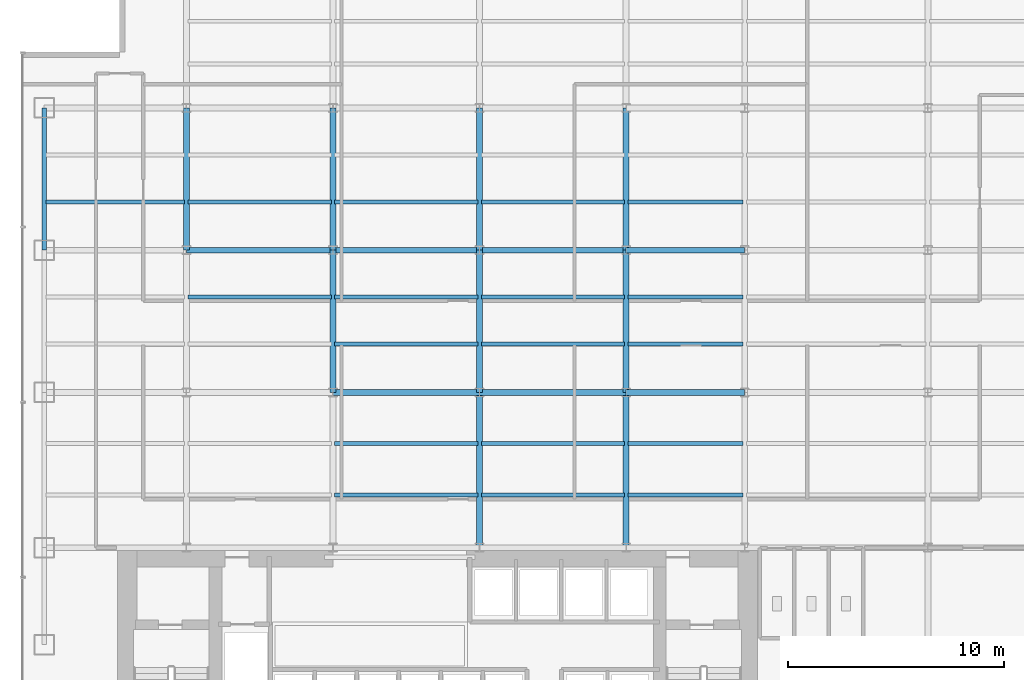
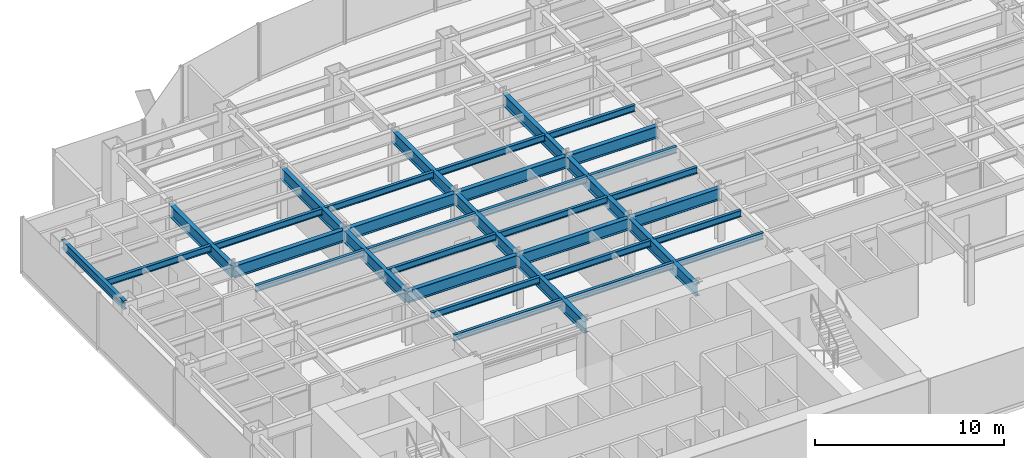
# One storey, part 5 of 23: 35 beams.
"""IFC4 building model written with IfcOpenShell, lengths in metres."""

from ifc_helpers import new_model, si_unit, derived_unit, direction, frame, origin, origin_2d, place, context, subcontext, project, spatial, i_section, extrude, source, transform, mapped, material, material_profile, profile_set, type_object, element, save


model = new_model("IFC4")

# Units and contexts
model_context = context("Model", 3, precision=1e-05, world=origin(), true_north=direction((0.0, 1.0)))
body_context = subcontext(model_context, "Body", "Model", "MODEL_VIEW")
ifc_project = project(units=[si_unit("LENGTHUNIT", "METRE"), si_unit("AREAUNIT", "SQUARE_METRE"), si_unit("VOLUMEUNIT", "CUBIC_METRE"), si_unit("PLANEANGLEUNIT", "RADIAN"), si_unit("MASSUNIT", "GRAM", prefix="KILO"), derived_unit("THERMALTRANSMITTANCEUNIT", [(si_unit("POWERUNIT", "WATT"), 1), (si_unit("LENGTHUNIT", "METRE"), -2), (si_unit("THERMODYNAMICTEMPERATUREUNIT", "KELVIN"), -1)])], contexts=[model_context])

# Site, building, storey
site_placement = place(None, origin())
site = spatial("IfcSite", under=ifc_project, at=site_placement, CompositionType="ELEMENT")
building_placement = place(site_placement, origin())
building = spatial("IfcBuilding", under=site, at=building_placement, Name="Skarnbrae Concourse Arena and Tower", CompositionType="ELEMENT")
storey_placement = place(building_placement, frame((0.0, 0.0, 50.75)))
storey = spatial("IfcBuildingStorey", under=building, at=storey_placement, Name="L11", CompositionType="ELEMENT", Elevation=50.75)

# Beams
ifc_material = material(Name="Steel CSA G40.21 350W", Category="steel")
ifc_material_profile_1 = material_profile(ifc_material, i_section(OverallWidth=0.26806640625, OverallDepth=0.77001953125, WebThickness=0.015625, FlangeThickness=0.025390625, at=origin_2d()), Name="W760X196")
ifc_profile_set_1 = profile_set([ifc_material_profile_1], Name="Steel CSA G40.21 350W")
beam_type_1 = type_object("IfcBeamType", Name="BM-GIRD-W760X196", PredefinedType="BEAM", material=ifc_profile_set_1)
shared_shape_1 = source(origin(), body_context, "Body", "SweptSolid", [
    extrude(i_section(OverallWidth=0.26806640625, OverallDepth=0.77001953125, WebThickness=0.015625, FlangeThickness=0.025390625, at=origin_2d()), origin(), (0.0, 0.0, 1.0), 6.60009765625),
])
for number, where, z_axis, x_axis, name in (
    (1, (14.39990234375, 21.199951171875, 3.014892578125), (0.0, 1.0, 0.0), (-1.0, 0.0, 0.0), "L11 Primary N-S girder X14.4-2"),
    (2, (21.199951171875, 21.199951171875, 3.014892578125), (0.0, 1.0, 0.0), (-1.0, 0.0, 0.0), "L11 Primary N-S girder X21.2-2"),
    (3, (28.0, 21.199951171875, 3.014892578125), (0.0, 1.0, 0.0), (-1.0, 0.0, 0.0), "L11 Primary N-S girder X28.0-2"),
):
    element("IfcBeam", number, at=place(storey_placement, frame(where, z_axis=z_axis, x_axis=x_axis)), inside=storey, type_object=beam_type_1, Name=name, PredefinedType="BEAM", context=body_context, shape_type="MappedRepresentation", body=[
        mapped(shared_shape_1, transform((0.0, 0.0, 0.0))),
    ])
shared_shape_2 = source(origin(), body_context, "Body", "SweptSolid", [
    extrude(i_section(OverallWidth=0.26806640625, OverallDepth=0.77001953125, WebThickness=0.015625, FlangeThickness=0.025390625, at=origin_2d()), origin(), (0.0, 0.0, 1.0), 6.7998046875),
])
beam_1_placement = place(storey_placement, frame((7.60009765625, 27.800048828125, 3.014892578125), z_axis=(1.0, 0.0, 0.0), x_axis=(0.0, 1.0, 0.0)))
element("IfcBeam", 4, at=beam_1_placement, inside=storey, type_object=beam_type_1, Name="L11 Primary E-W girder Y27.8-2", PredefinedType="BEAM", context=body_context, shape_type="MappedRepresentation", body=[
    mapped(shared_shape_2, transform((0.0, 0.0, 0.0))),
])
shared_shape_3 = source(origin(), body_context, "Body", "SweptSolid", [
    extrude(i_section(OverallWidth=0.26806640625, OverallDepth=0.77001953125, WebThickness=0.015625, FlangeThickness=0.025390625, at=origin_2d()), origin(), (0.0, 0.0, 1.0), 6.800048828125),
])
for number, where, z_axis, x_axis, name in (
    (5, (14.39990234375, 21.199951171875, 3.014892578125), (1.0, 0.0, 0.0), (0.0, 1.0, 0.0), "L11 Primary E-W girder Y21.2-3"),
    (6, (21.199951171875, 21.199951171875, 3.014892578125), (1.0, 0.0, 0.0), (0.0, 1.0, 0.0), "L11 Primary E-W girder Y21.2-4"),
    (7, (14.39990234375, 27.800048828125, 3.014892578125), (1.0, 0.0, 0.0), (0.0, 1.0, 0.0), "L11 Primary E-W girder Y27.8-3"),
    (8, (21.199951171875, 27.800048828125, 3.014892578125), (1.0, 0.0, 0.0), (0.0, 1.0, 0.0), "L11 Primary E-W girder Y27.8-4"),
):
    element("IfcBeam", number, at=place(storey_placement, frame(where, z_axis=z_axis, x_axis=x_axis)), inside=storey, type_object=beam_type_1, Name=name, PredefinedType="BEAM", context=body_context, shape_type="MappedRepresentation", body=[
        mapped(shared_shape_3, transform((0.0, 0.0, 0.0))),
    ])
shared_shape_4 = source(origin(), body_context, "Body", "SweptSolid", [
    extrude(i_section(OverallWidth=0.26806640625, OverallDepth=0.77001953125, WebThickness=0.015625, FlangeThickness=0.025390625, at=origin_2d()), origin(), (0.0, 0.0, 1.0), 5.5),
])
for number, where, z_axis, x_axis, name in (
    (9, (28.0, 21.199951171875, 3.014892578125), (1.0, 0.0, 0.0), (0.0, 1.0, 0.0), "L11 Primary E-W girder Y21.2-5"),
    (10, (28.0, 27.800048828125, 3.014892578125), (1.0, 0.0, 0.0), (0.0, 1.0, 0.0), "L11 Primary E-W girder Y27.8-5"),
):
    element("IfcBeam", number, at=place(storey_placement, frame(where, z_axis=z_axis, x_axis=x_axis)), inside=storey, type_object=beam_type_1, Name=name, PredefinedType="BEAM", context=body_context, shape_type="MappedRepresentation", body=[
        mapped(shared_shape_4, transform((0.0, 0.0, 0.0))),
    ])
ifc_material_profile_2 = material_profile(ifc_material, i_section(OverallWidth=0.214111328125, OverallDepth=0.549072265625, WebThickness=0.0146484375, FlangeThickness=0.023681640625, at=origin_2d()), Name="W530X138")
ifc_profile_set_2 = profile_set([ifc_material_profile_2], Name="Steel CSA G40.21 350W")
beam_type_2 = type_object("IfcBeamType", Name="BM-SPAN-W530X138", PredefinedType="SPANDREL", material=ifc_profile_set_2)
shared_shape_5 = source(origin(), body_context, "Body", "SweptSolid", [
    extrude(i_section(OverallWidth=0.214111328125, OverallDepth=0.549072265625, WebThickness=0.0146484375, FlangeThickness=0.023681640625, at=origin_2d()), origin(), (0.0, 0.0, 1.0), 6.599853515625),
])
beam_2_placement = place(storey_placement, frame((1.0, 27.800048828125, 3.12548828125), z_axis=(0.0, 1.0, 0.0), x_axis=(-1.0, 0.0, 0.0)))
element("IfcBeam", 11, at=beam_2_placement, inside=storey, type_object=beam_type_2, Name="L11 Perimeter spandrel X1.0-4", PredefinedType="SPANDREL", context=body_context, shape_type="MappedRepresentation", body=[
    mapped(shared_shape_5, transform((0.0, 0.0, 0.0))),
])
shared_shape_6 = source(origin(), body_context, "Body", "SweptSolid", [
    extrude(i_section(OverallWidth=0.26806640625, OverallDepth=0.77001953125, WebThickness=0.015625, FlangeThickness=0.025390625, at=origin_2d()), origin(), (0.0, 0.0, 1.0), 7.199951171875),
])
for number, where, z_axis, x_axis, name in (
    (12, (21.199951171875, 14.0, 3.014892578125), (0.0, 1.0, 0.0), (-1.0, 0.0, 0.0), "L11 Primary N-S girder X21.2-1"),
    (13, (28.0, 14.0, 3.014892578125), (0.0, 1.0, 0.0), (-1.0, 0.0, 0.0), "L11 Primary N-S girder X28.0-1"),
):
    element("IfcBeam", number, at=place(storey_placement, frame(where, z_axis=z_axis, x_axis=x_axis)), inside=storey, type_object=beam_type_1, Name=name, PredefinedType="BEAM", context=body_context, shape_type="MappedRepresentation", body=[
        mapped(shared_shape_6, transform((0.0, 0.0, 0.0))),
    ])
shared_shape_7 = source(origin(), body_context, "Body", "SweptSolid", [
    extrude(i_section(OverallWidth=0.26806640625, OverallDepth=0.77001953125, WebThickness=0.015625, FlangeThickness=0.025390625, at=origin_2d()), origin(), (0.0, 0.0, 1.0), 6.599853515625),
])
for number, where, z_axis, x_axis, name in (
    (14, (7.60009765625, 27.800048828125, 3.014892578125), (0.0, 1.0, 0.0), (-1.0, 0.0, 0.0), "L11 Primary N-S girder X7.6-3"),
    (15, (14.39990234375, 27.800048828125, 3.014892578125), (0.0, 1.0, 0.0), (-1.0, 0.0, 0.0), "L11 Primary N-S girder X14.4-3"),
    (16, (21.199951171875, 27.800048828125, 3.014892578125), (0.0, 1.0, 0.0), (-1.0, 0.0, 0.0), "L11 Primary N-S girder X21.2-3"),
    (17, (28.0, 27.800048828125, 3.014892578125), (0.0, 1.0, 0.0), (-1.0, 0.0, 0.0), "L11 Primary N-S girder X28.0-3"),
):
    element("IfcBeam", number, at=place(storey_placement, frame(where, z_axis=z_axis, x_axis=x_axis)), inside=storey, type_object=beam_type_1, Name=name, PredefinedType="BEAM", context=body_context, shape_type="MappedRepresentation", body=[
        mapped(shared_shape_7, transform((0.0, 0.0, 0.0))),
    ])
ifc_material_profile_3 = material_profile(ifc_material, i_section(OverallWidth=0.180908203125, OverallDepth=0.4169921875, WebThickness=0.010986328125, FlangeThickness=0.018310546875, at=origin_2d()), Name="W410X85")
ifc_profile_set_3 = profile_set([ifc_material_profile_3], Name="Steel CSA G40.21 350W")
beam_type_3 = type_object("IfcBeamType", Name="BM-JOIST-W410X85", PredefinedType="JOIST", material=ifc_profile_set_3)
shared_shape_8 = source(origin(), body_context, "Body", "SweptSolid", [
    extrude(i_section(OverallWidth=0.180908203125, OverallDepth=0.4169921875, WebThickness=0.010986328125, FlangeThickness=0.018310546875, at=origin_2d()), origin(), (0.0, 0.0, 1.0), 6.43994140625),
])
beam_3_placement = place(storey_placement, frame((1.080078125, 30.0439453125, 3.19140625), z_axis=(1.0, 0.0, 0.0), x_axis=(0.0, 1.0, 0.0)))
element("IfcBeam", 18, at=beam_3_placement, inside=storey, type_object=beam_type_3, Name="L11 Secondary floor joist 3.1.1", PredefinedType="JOIST", context=body_context, shape_type="MappedRepresentation", body=[
    mapped(shared_shape_8, transform((0.0, 0.0, 0.0))),
])
shared_shape_9 = source(origin(), body_context, "Body", "SweptSolid", [
    extrude(i_section(OverallWidth=0.180908203125, OverallDepth=0.4169921875, WebThickness=0.010986328125, FlangeThickness=0.018310546875, at=origin_2d()), origin(), (0.0, 0.0, 1.0), 6.64013671875),
])
for number, where, z_axis, x_axis, name in (
    (19, (14.47998046875, 16.447998046875, 3.19140625), (1.0, 0.0, 0.0), (0.0, 1.0, 0.0), "L11 Secondary floor joist 1.1.3"),
    (20, (14.47998046875, 18.823974609375, 3.19140625), (1.0, 0.0, 0.0), (0.0, 1.0, 0.0), "L11 Secondary floor joist 1.2.3"),
    (21, (14.47998046875, 23.444091796875, 3.19140625), (1.0, 0.0, 0.0), (0.0, 1.0, 0.0), "L11 Secondary floor joist 2.1.3"),
    (22, (7.679931640625, 25.6220703125, 3.19140625), (1.0, 0.0, 0.0), (0.0, 1.0, 0.0), "L11 Secondary floor joist 2.2.2"),
    (23, (14.47998046875, 25.6220703125, 3.19140625), (1.0, 0.0, 0.0), (0.0, 1.0, 0.0), "L11 Secondary floor joist 2.2.3"),
    (24, (7.679931640625, 30.0439453125, 3.19140625), (1.0, 0.0, 0.0), (0.0, 1.0, 0.0), "L11 Secondary floor joist 3.1.2"),
    (25, (14.47998046875, 30.0439453125, 3.19140625), (1.0, 0.0, 0.0), (0.0, 1.0, 0.0), "L11 Secondary floor joist 3.1.3"),
):
    element("IfcBeam", number, at=place(storey_placement, frame(where, z_axis=z_axis, x_axis=x_axis)), inside=storey, type_object=beam_type_3, Name=name, PredefinedType="JOIST", context=body_context, shape_type="MappedRepresentation", body=[
        mapped(shared_shape_9, transform((0.0, 0.0, 0.0))),
    ])
shared_shape_10 = source(origin(), body_context, "Body", "SweptSolid", [
    extrude(i_section(OverallWidth=0.180908203125, OverallDepth=0.4169921875, WebThickness=0.010986328125, FlangeThickness=0.018310546875, at=origin_2d()), origin(), (0.0, 0.0, 1.0), 6.639892578125),
])
for number, where, z_axis, x_axis, name in (
    (26, (21.280029296875, 16.447998046875, 3.19140625), (1.0, 0.0, 0.0), (0.0, 1.0, 0.0), "L11 Secondary floor joist 1.1.4"),
    (27, (21.280029296875, 18.823974609375, 3.19140625), (1.0, 0.0, 0.0), (0.0, 1.0, 0.0), "L11 Secondary floor joist 1.2.4"),
    (28, (21.280029296875, 23.444091796875, 3.19140625), (1.0, 0.0, 0.0), (0.0, 1.0, 0.0), "L11 Secondary floor joist 2.1.4"),
    (29, (21.280029296875, 25.6220703125, 3.19140625), (1.0, 0.0, 0.0), (0.0, 1.0, 0.0), "L11 Secondary floor joist 2.2.4"),
    (30, (21.280029296875, 30.0439453125, 3.19140625), (1.0, 0.0, 0.0), (0.0, 1.0, 0.0), "L11 Secondary floor joist 3.1.4"),
):
    element("IfcBeam", number, at=place(storey_placement, frame(where, z_axis=z_axis, x_axis=x_axis)), inside=storey, type_object=beam_type_3, Name=name, PredefinedType="JOIST", context=body_context, shape_type="MappedRepresentation", body=[
        mapped(shared_shape_10, transform((0.0, 0.0, 0.0))),
    ])
shared_shape_11 = source(origin(), body_context, "Body", "SweptSolid", [
    extrude(i_section(OverallWidth=0.180908203125, OverallDepth=0.4169921875, WebThickness=0.010986328125, FlangeThickness=0.018310546875, at=origin_2d()), origin(), (0.0, 0.0, 1.0), 5.33984375),
])
for number, where, z_axis, x_axis, name in (
    (31, (28.080078125, 16.447998046875, 3.19140625), (1.0, 0.0, 0.0), (0.0, 1.0, 0.0), "L11 Secondary floor joist 1.1.5"),
    (32, (28.080078125, 18.823974609375, 3.19140625), (1.0, 0.0, 0.0), (0.0, 1.0, 0.0), "L11 Secondary floor joist 1.2.5"),
    (33, (28.080078125, 23.444091796875, 3.19140625), (1.0, 0.0, 0.0), (0.0, 1.0, 0.0), "L11 Secondary floor joist 2.1.5"),
    (34, (28.080078125, 25.6220703125, 3.19140625), (1.0, 0.0, 0.0), (0.0, 1.0, 0.0), "L11 Secondary floor joist 2.2.5"),
    (35, (28.080078125, 30.0439453125, 3.19140625), (1.0, 0.0, 0.0), (0.0, 1.0, 0.0), "L11 Secondary floor joist 3.1.5"),
):
    element("IfcBeam", number, at=place(storey_placement, frame(where, z_axis=z_axis, x_axis=x_axis)), inside=storey, type_object=beam_type_3, Name=name, PredefinedType="JOIST", context=body_context, shape_type="MappedRepresentation", body=[
        mapped(shared_shape_11, transform((0.0, 0.0, 0.0))),
    ])

save(model, "model.ifc")
